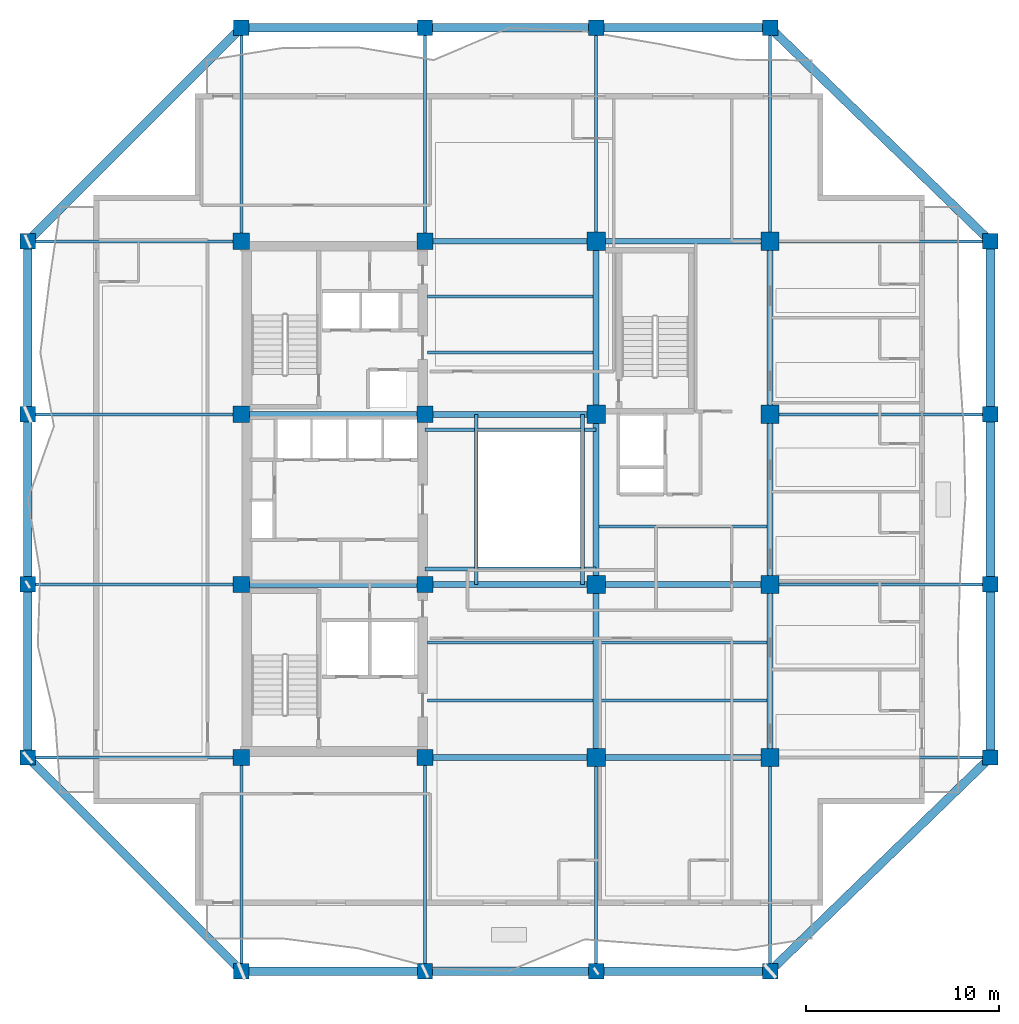
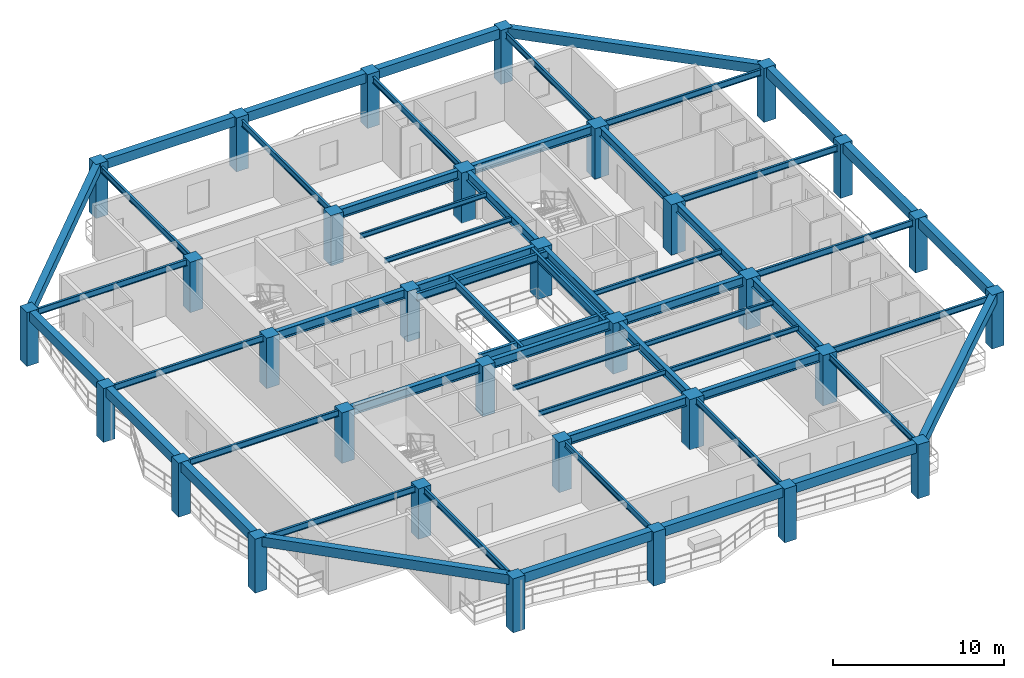
# One storey, part 1 of 13: 58 beams, 32 columns.
"""IFC4 building model written with IfcOpenShell, lengths in metres."""

from ifc_helpers import new_model, si_unit, direction, frame, origin, origin_2d, place, context, subcontext, project, spatial, rectangle, i_section, extrude, material, material_profile, profile_set, type_object, element, save


model = new_model("IFC4")

# Units and contexts
model_context = context("Model", 3, precision=1e-05, world=origin(), true_north=direction((0.0, 1.0)))
body_context = subcontext(model_context, "Body", "Model", "MODEL_VIEW")
ifc_project = project(units=[si_unit("LENGTHUNIT", "METRE"), si_unit("AREAUNIT", "SQUARE_METRE"), si_unit("VOLUMEUNIT", "CUBIC_METRE"), si_unit("PLANEANGLEUNIT", "RADIAN"), si_unit("MASSUNIT", "GRAM", prefix="KILO")], contexts=[model_context])

# Site, building, storey
site_placement = place(None, origin())
site = spatial("IfcSite", under=ifc_project, at=site_placement, CompositionType="ELEMENT")
building_placement = place(site_placement, origin())
building = spatial("IfcBuilding", under=site, at=building_placement, Name="Kundavana Baori Tower", CompositionType="ELEMENT")
storey_placement = place(building_placement, frame((0.0, 0.0, 188.699951171875)))
storey = spatial("IfcBuildingStorey", under=building, at=storey_placement, Name="L46", CompositionType="ELEMENT", Elevation=188.699951171875)

# Columns
ifc_material_1 = material(Name="Concrete C50/60", Category="concrete")
ifc_material_profile_1 = material_profile(ifc_material_1, rectangle(XDim=0.800048828125, YDim=0.800048828125, at=origin_2d()), Name="RC PF 800x800")
ifc_profile_set_1 = profile_set([ifc_material_profile_1], Name="Concrete C50/60")
column_type_1 = type_object("IfcColumnType", Name="COL-PF-800", PredefinedType="COLUMN", material=ifc_profile_set_1)
for number, where, z_axis, x_axis, name in (
    (1, (15.449951171875, 4.199951171875, 0.0), (0.0, 0.0, 1.0), (1.0, 0.0, 0.0), "L46 Stone-Clad Perimeter Frame Column PF-S1"),
    (2, (15.449951171875, 53.0, 0.0), (0.0, 0.0, 1.0), (1.0, 0.0, 0.0), "L46 Stone-Clad Perimeter Frame Column PF-N1"),
    (3, (24.949951171875, 4.199951171875, 0.0), (0.0, 0.0, 1.0), (1.0, 0.0, 0.0), "L46 Stone-Clad Perimeter Frame Column PF-S2"),
    (4, (24.949951171875, 53.0, 0.0), (0.0, 0.0, 1.0), (1.0, 0.0, 0.0), "L46 Stone-Clad Perimeter Frame Column PF-N2"),
    (5, (33.800048828125, 4.199951171875, 0.0), (0.0, 0.0, 1.0), (1.0, 0.0, 0.0), "L46 Stone-Clad Perimeter Frame Column PF-S3"),
    (6, (33.800048828125, 53.0, 0.0), (0.0, 0.0, 1.0), (1.0, 0.0, 0.0), "L46 Stone-Clad Perimeter Frame Column PF-N3"),
    (7, (42.800048828125, 4.199951171875, 0.0), (0.0, 0.0, 1.0), (1.0, 0.0, 0.0), "L46 Stone-Clad Perimeter Frame Column PF-S4"),
    (8, (42.800048828125, 53.0, 0.0), (0.0, 0.0, 1.0), (1.0, 0.0, 0.0), "L46 Stone-Clad Perimeter Frame Column PF-N4"),
    (9, (4.39990234375, 15.25, 0.0), (0.0, 0.0, 1.0), (1.0, 0.0, 0.0), "L46 Stone-Clad Perimeter Frame Column PF-W1"),
    (10, (54.199951171875, 15.25, 0.0), (0.0, 0.0, 1.0), (1.0, 0.0, 0.0), "L46 Stone-Clad Perimeter Frame Column PF-E1"),
    (11, (4.39990234375, 24.199951171875, 0.0), (0.0, 0.0, 1.0), (1.0, 0.0, 0.0), "L46 Stone-Clad Perimeter Frame Column PF-W2"),
    (12, (54.199951171875, 24.199951171875, 0.0), (0.0, 0.0, 1.0), (1.0, 0.0, 0.0), "L46 Stone-Clad Perimeter Frame Column PF-E2"),
    (13, (4.39990234375, 33.0, 0.0), (0.0, 0.0, 1.0), (1.0, 0.0, 0.0), "L46 Stone-Clad Perimeter Frame Column PF-W3"),
    (14, (54.199951171875, 33.0, 0.0), (0.0, 0.0, 1.0), (1.0, 0.0, 0.0), "L46 Stone-Clad Perimeter Frame Column PF-E3"),
    (15, (4.39990234375, 41.949951171875, 0.0), (0.0, 0.0, 1.0), (1.0, 0.0, 0.0), "L46 Stone-Clad Perimeter Frame Column PF-W4"),
    (16, (54.199951171875, 41.949951171875, 0.0), (0.0, 0.0, 1.0), (1.0, 0.0, 0.0), "L46 Stone-Clad Perimeter Frame Column PF-E4"),
):
    element("IfcColumn", number, at=place(storey_placement, frame(where, z_axis=z_axis, x_axis=x_axis)), inside=storey, type_object=column_type_1, Name=name, PredefinedType="COLUMN", context=body_context, shape_type="SweptSolid", body=[
        extrude(rectangle(XDim=0.800048828125, YDim=0.800048828125, at=origin_2d()), origin(), (0.0, 0.0, 1.0), 3.85009765625),
    ])
ifc_material_2 = material(Name="Concrete C50/60", Category="concrete")
ifc_material_profile_2 = material_profile(ifc_material_2, rectangle(XDim=0.85009765625, YDim=0.85009765625, at=origin_2d()), Name="RC 850x850")
ifc_profile_set_2 = profile_set([ifc_material_profile_2], Name="Concrete C50/60")
column_type_2 = type_object("IfcColumnType", Name="COL-RC-850", PredefinedType="COLUMN", material=ifc_profile_set_2)
for number, where, z_axis, x_axis, name in (
    (17, (15.449951171875, 15.25, 0.0), (0.0, 0.0, 1.0), (1.0, 0.0, 0.0), "L46 Interior Column IC-3C"),
    (18, (15.449951171875, 24.199951171875, 0.0), (0.0, 0.0, 1.0), (1.0, 0.0, 0.0), "L46 Interior Column IC-3D"),
    (19, (15.449951171875, 33.0, 0.0), (0.0, 0.0, 1.0), (1.0, 0.0, 0.0), "L46 Interior Column IC-3E"),
    (20, (15.449951171875, 41.949951171875, 0.0), (0.0, 0.0, 1.0), (1.0, 0.0, 0.0), "L46 Interior Column IC-3F"),
    (21, (24.949951171875, 15.25, 0.0), (0.0, 0.0, 1.0), (1.0, 0.0, 0.0), "L46 Interior Column IC-4C"),
    (22, (24.949951171875, 24.199951171875, 0.0), (0.0, 0.0, 1.0), (1.0, 0.0, 0.0), "L46 Interior Column IC-4D"),
    (23, (24.949951171875, 33.0, 0.0), (0.0, 0.0, 1.0), (1.0, 0.0, 0.0), "L46 Interior Column IC-4E"),
    (24, (24.949951171875, 41.949951171875, 0.0), (0.0, 0.0, 1.0), (1.0, 0.0, 0.0), "L46 Interior Column IC-4F"),
):
    element("IfcColumn", number, at=place(storey_placement, frame(where, z_axis=z_axis, x_axis=x_axis)), inside=storey, type_object=column_type_2, Name=name, PredefinedType="COLUMN", context=body_context, shape_type="SweptSolid", body=[
        extrude(rectangle(XDim=0.85009765625, YDim=0.85009765625, at=origin_2d()), origin(), (0.0, 0.0, 1.0), 3.60009765625),
    ])
ifc_material_3 = material(Name="Concrete C50/60", Category="concrete")
ifc_material_profile_3 = material_profile(ifc_material_3, rectangle(XDim=0.949951171875, YDim=0.949951171875, at=origin_2d()), Name="RC 950x950")
ifc_profile_set_3 = profile_set([ifc_material_profile_3], Name="Concrete C50/60")
column_type_3 = type_object("IfcColumnType", Name="COL-RC-950", PredefinedType="COLUMN", material=ifc_profile_set_3)
for number, where, z_axis, x_axis, name in (
    (25, (33.800048828125, 15.25, 0.0), (0.0, 0.0, 1.0), (1.0, 0.0, 0.0), "L46 Interior Column IC-5C"),
    (26, (33.800048828125, 24.199951171875, 0.0), (0.0, 0.0, 1.0), (1.0, 0.0, 0.0), "L46 Interior Column IC-5D"),
    (27, (33.800048828125, 33.0, 0.0), (0.0, 0.0, 1.0), (1.0, 0.0, 0.0), "L46 Interior Column IC-5E"),
    (28, (33.800048828125, 41.949951171875, 0.0), (0.0, 0.0, 1.0), (1.0, 0.0, 0.0), "L46 Interior Column IC-5F"),
    (29, (42.800048828125, 15.25, 0.0), (0.0, 0.0, 1.0), (1.0, 0.0, 0.0), "L46 Interior Column IC-6C"),
    (30, (42.800048828125, 24.199951171875, 0.0), (0.0, 0.0, 1.0), (1.0, 0.0, 0.0), "L46 Interior Column IC-6D"),
    (31, (42.800048828125, 33.0, 0.0), (0.0, 0.0, 1.0), (1.0, 0.0, 0.0), "L46 Interior Column IC-6E"),
    (32, (42.800048828125, 41.949951171875, 0.0), (0.0, 0.0, 1.0), (1.0, 0.0, 0.0), "L46 Interior Column IC-6F"),
):
    element("IfcColumn", number, at=place(storey_placement, frame(where, z_axis=z_axis, x_axis=x_axis)), inside=storey, type_object=column_type_3, Name=name, PredefinedType="COLUMN", context=body_context, shape_type="SweptSolid", body=[
        extrude(rectangle(XDim=0.949951171875, YDim=0.949951171875, at=origin_2d()), origin(), (0.0, 0.0, 1.0), 3.60009765625),
    ])

# Beams
ifc_material_4 = material(Name="Structural Steel S355JR", Category="steel")
ifc_material_profile_4 = material_profile(ifc_material_4, i_section(OverallWidth=0.139892578125, OverallDepth=0.35009765625, WebThickness=0.008056640625, FlangeThickness=0.01416015625, FilletRadius=0.013916015625, at=origin_2d()), Name="ISMB 350")
ifc_profile_set_4 = profile_set([ifc_material_profile_4], Name="Structural Steel S355JR")
beam_type_1 = type_object("IfcBeamType", Name="BM-JST-350", PredefinedType="JOIST", material=ifc_profile_set_4)
for number, where, z_axis, x_axis, name in (
    (33, (25.080078125, 18.199951171875, 3.425048828125), (1.0, 0.0, 0.0), (0.0, 1.0, 0.0), "L46 Central Bay Composite Floor Joist C1"),
    (34, (25.080078125, 21.199951171875, 3.425048828125), (1.0, 0.0, 0.0), (0.0, 1.0, 0.0), "L46 Central Bay Composite Floor Joist C2"),
    (35, (25.080078125, 36.199951171875, 3.425048828125), (1.0, 0.0, 0.0), (0.0, 1.0, 0.0), "L46 Central Bay Composite Floor Joist C3"),
    (36, (25.080078125, 39.10009765625, 3.425048828125), (1.0, 0.0, 0.0), (0.0, 1.0, 0.0), "L46 Central Bay Composite Floor Joist C4"),
):
    element("IfcBeam", number, at=place(storey_placement, frame(where, z_axis=z_axis, x_axis=x_axis)), inside=storey, type_object=beam_type_1, Name=name, PredefinedType="JOIST", context=body_context, shape_type="SweptSolid", body=[
        extrude(i_section(OverallWidth=0.139892578125, OverallDepth=0.35009765625, WebThickness=0.008056640625, FlangeThickness=0.01416015625, FilletRadius=0.013916015625, at=origin_2d()), origin(), (0.0, 0.0, 1.0), 8.56982421875),
    ])
for number, where, z_axis, x_axis, name in (
    (37, (33.949951171875, 18.199951171875, 3.425048828125), (1.0, 0.0, 0.0), (0.0, 1.0, 0.0), "L46 East Bay Composite Floor Joist E1"),
    (38, (33.949951171875, 21.199951171875, 3.425048828125), (1.0, 0.0, 0.0), (0.0, 1.0, 0.0), "L46 East Bay Composite Floor Joist E2"),
    (39, (33.949951171875, 27.199951171875, 3.425048828125), (1.0, 0.0, 0.0), (0.0, 1.0, 0.0), "L46 East Bay Composite Floor Joist E3"),
):
    element("IfcBeam", number, at=place(storey_placement, frame(where, z_axis=z_axis, x_axis=x_axis)), inside=storey, type_object=beam_type_1, Name=name, PredefinedType="JOIST", context=body_context, shape_type="SweptSolid", body=[
        extrude(i_section(OverallWidth=0.139892578125, OverallDepth=0.35009765625, WebThickness=0.008056640625, FlangeThickness=0.01416015625, FilletRadius=0.013916015625, at=origin_2d()), origin(), (0.0, 0.0, 1.0), 8.699951171875),
    ])
ifc_material_5 = material(Name="Concrete C50/60", Category="concrete")
ifc_material_profile_5 = material_profile(ifc_material_5, rectangle(XDim=0.449951171875, YDim=0.679931640625, at=origin_2d()), Name="RC BM 450x680")
ifc_profile_set_5 = profile_set([ifc_material_profile_5], Name="Concrete C50/60")
beam_type_2 = type_object("IfcBeamType", Name="BM-PF-680", PredefinedType="SPANDREL", material=ifc_profile_set_5)
beam_1_placement = place(storey_placement, frame((15.449951171875, 4.199951171875, 3.510009765625), z_axis=(1.0, 0.0, 0.0), x_axis=(0.0, 1.0, 0.0)))
element("IfcBeam", 40, at=beam_1_placement, inside=storey, type_object=beam_type_2, Name="L46 Perimeter Frame Ring Beam S1", PredefinedType="SPANDREL", context=body_context, shape_type="SweptSolid", body=[
    extrude(rectangle(XDim=0.449951171875, YDim=0.679931640625, at=origin_2d()), origin(), (0.0, 0.0, 1.0), 9.5),
])
beam_2_placement = place(storey_placement, frame((24.949951171875, 4.199951171875, 3.510009765625), z_axis=(1.0, 0.0, 0.0), x_axis=(0.0, 1.0, 0.0)))
element("IfcBeam", 41, at=beam_2_placement, inside=storey, type_object=beam_type_2, Name="L46 Perimeter Frame Ring Beam S2", PredefinedType="SPANDREL", context=body_context, shape_type="SweptSolid", body=[
    extrude(rectangle(XDim=0.449951171875, YDim=0.679931640625, at=origin_2d()), origin(), (0.0, 0.0, 1.0), 8.85009765625),
])
beam_3_placement = place(storey_placement, frame((33.800048828125, 4.199951171875, 3.510009765625), z_axis=(1.0, 0.0, 0.0), x_axis=(0.0, 1.0, 0.0)))
element("IfcBeam", 42, at=beam_3_placement, inside=storey, type_object=beam_type_2, Name="L46 Perimeter Frame Ring Beam S3", PredefinedType="SPANDREL", context=body_context, shape_type="SweptSolid", body=[
    extrude(rectangle(XDim=0.449951171875, YDim=0.679931640625, at=origin_2d()), origin(), (0.0, 0.0, 1.0), 9.0),
])
beam_4_placement = place(storey_placement, frame((15.449951171875, 53.0, 3.510009765625), z_axis=(1.0, 0.0, 0.0), x_axis=(0.0, 1.0, 0.0)))
element("IfcBeam", 43, at=beam_4_placement, inside=storey, type_object=beam_type_2, Name="L46 Perimeter Frame Ring Beam N1", PredefinedType="SPANDREL", context=body_context, shape_type="SweptSolid", body=[
    extrude(rectangle(XDim=0.449951171875, YDim=0.679931640625, at=origin_2d()), origin(), (0.0, 0.0, 1.0), 9.5),
])
beam_5_placement = place(storey_placement, frame((24.949951171875, 53.0, 3.510009765625), z_axis=(1.0, 0.0, 0.0), x_axis=(0.0, 1.0, 0.0)))
element("IfcBeam", 44, at=beam_5_placement, inside=storey, type_object=beam_type_2, Name="L46 Perimeter Frame Ring Beam N2", PredefinedType="SPANDREL", context=body_context, shape_type="SweptSolid", body=[
    extrude(rectangle(XDim=0.449951171875, YDim=0.679931640625, at=origin_2d()), origin(), (0.0, 0.0, 1.0), 8.85009765625),
])
beam_6_placement = place(storey_placement, frame((33.800048828125, 53.0, 3.510009765625), z_axis=(1.0, 0.0, 0.0), x_axis=(0.0, 1.0, 0.0)))
element("IfcBeam", 45, at=beam_6_placement, inside=storey, type_object=beam_type_2, Name="L46 Perimeter Frame Ring Beam N3", PredefinedType="SPANDREL", context=body_context, shape_type="SweptSolid", body=[
    extrude(rectangle(XDim=0.449951171875, YDim=0.679931640625, at=origin_2d()), origin(), (0.0, 0.0, 1.0), 9.0),
])
beam_7_placement = place(storey_placement, frame((4.39990234375, 15.25, 3.510009765625), z_axis=(0.0, 1.0, 0.0), x_axis=(-1.0, 0.0, 0.0)))
element("IfcBeam", 46, at=beam_7_placement, inside=storey, type_object=beam_type_2, Name="L46 Perimeter Frame Ring Beam W1", PredefinedType="SPANDREL", context=body_context, shape_type="SweptSolid", body=[
    extrude(rectangle(XDim=0.449951171875, YDim=0.679931640625, at=origin_2d()), origin(), (0.0, 0.0, 1.0), 8.949951171875),
])
beam_8_placement = place(storey_placement, frame((4.39990234375, 24.199951171875, 3.510009765625), z_axis=(0.0, 1.0, 0.0), x_axis=(-1.0, 0.0, 0.0)))
element("IfcBeam", 47, at=beam_8_placement, inside=storey, type_object=beam_type_2, Name="L46 Perimeter Frame Ring Beam W2", PredefinedType="SPANDREL", context=body_context, shape_type="SweptSolid", body=[
    extrude(rectangle(XDim=0.449951171875, YDim=0.679931640625, at=origin_2d()), origin(), (0.0, 0.0, 1.0), 8.800048828125),
])
for number, where, z_axis, x_axis, name in (
    (48, (4.39990234375, 33.0, 3.510009765625), (0.0, 1.0, 0.0), (-1.0, 0.0, 0.0), "L46 Perimeter Frame Ring Beam W3"),
    (49, (54.199951171875, 15.25, 3.510009765625), (0.0, 1.0, 0.0), (-1.0, 0.0, 0.0), "L46 Perimeter Frame Ring Beam E1"),
):
    element("IfcBeam", number, at=place(storey_placement, frame(where, z_axis=z_axis, x_axis=x_axis)), inside=storey, type_object=beam_type_2, Name=name, PredefinedType="SPANDREL", context=body_context, shape_type="SweptSolid", body=[
        extrude(rectangle(XDim=0.449951171875, YDim=0.679931640625, at=origin_2d()), origin(), (0.0, 0.0, 1.0), 8.949951171875),
    ])
beam_9_placement = place(storey_placement, frame((54.199951171875, 24.199951171875, 3.510009765625), z_axis=(0.0, 1.0, 0.0), x_axis=(-1.0, 0.0, 0.0)))
element("IfcBeam", 50, at=beam_9_placement, inside=storey, type_object=beam_type_2, Name="L46 Perimeter Frame Ring Beam E2", PredefinedType="SPANDREL", context=body_context, shape_type="SweptSolid", body=[
    extrude(rectangle(XDim=0.449951171875, YDim=0.679931640625, at=origin_2d()), origin(), (0.0, 0.0, 1.0), 8.800048828125),
])
beam_10_placement = place(storey_placement, frame((54.199951171875, 33.0, 3.510009765625), z_axis=(0.0, 1.0, 0.0), x_axis=(-1.0, 0.0, 0.0)))
element("IfcBeam", 51, at=beam_10_placement, inside=storey, type_object=beam_type_2, Name="L46 Perimeter Frame Ring Beam E3", PredefinedType="SPANDREL", context=body_context, shape_type="SweptSolid", body=[
    extrude(rectangle(XDim=0.449951171875, YDim=0.679931640625, at=origin_2d()), origin(), (0.0, 0.0, 1.0), 8.949951171875),
])
beam_11_placement = place(storey_placement, frame((15.449951171875, 4.199951171875, 3.510009765625), z_axis=(-0.707106781187, 0.707106781187, 0.0), x_axis=(-0.707106781187, -0.707106781187, 0.0)))
element("IfcBeam", 52, at=beam_11_placement, inside=storey, type_object=beam_type_2, Name="L46 Notched Corner Perimeter Beam SW", PredefinedType="SPANDREL", context=body_context, shape_type="SweptSolid", body=[
    extrude(rectangle(XDim=0.449951171875, YDim=0.679931640625, at=origin_2d()), origin(), (0.0, 0.0, 1.0), 15.627197265625),
])
beam_12_placement = place(storey_placement, frame((42.800048828125, 4.199951171875, 3.510009765625), z_axis=(0.718038944492, 0.696002926857, 0.0), x_axis=(-0.696002926857, 0.718038944492, 0.0)))
element("IfcBeam", 53, at=beam_12_placement, inside=storey, type_object=beam_type_2, Name="L46 Notched Corner Perimeter Beam SE", PredefinedType="SPANDREL", context=body_context, shape_type="SweptSolid", body=[
    extrude(rectangle(XDim=0.449951171875, YDim=0.679931640625, at=origin_2d()), origin(), (0.0, 0.0, 1.0), 15.87646484375),
])
beam_13_placement = place(storey_placement, frame((15.449951171875, 53.0, 3.510009765625), z_axis=(-0.707106781187, -0.707106781187, 0.0), x_axis=(0.707106781187, -0.707106781187, 0.0)))
element("IfcBeam", 54, at=beam_13_placement, inside=storey, type_object=beam_type_2, Name="L46 Notched Corner Perimeter Beam NW", PredefinedType="SPANDREL", context=body_context, shape_type="SweptSolid", body=[
    extrude(rectangle(XDim=0.449951171875, YDim=0.679931640625, at=origin_2d()), origin(), (0.0, 0.0, 1.0), 15.627197265625),
])
beam_14_placement = place(storey_placement, frame((42.800048828125, 53.0, 3.510009765625), z_axis=(0.718038944492, -0.696002926857, 0.0), x_axis=(0.696002926857, 0.718038944492, 0.0)))
element("IfcBeam", 55, at=beam_14_placement, inside=storey, type_object=beam_type_2, Name="L46 Notched Corner Perimeter Beam NE", PredefinedType="SPANDREL", context=body_context, shape_type="SweptSolid", body=[
    extrude(rectangle(XDim=0.449951171875, YDim=0.679931640625, at=origin_2d()), origin(), (0.0, 0.0, 1.0), 15.87646484375),
])
ifc_material_6 = material(Name="Structural Steel S355JR", Category="steel")
ifc_material_profile_6 = material_profile(ifc_material_6, i_section(OverallWidth=0.18994140625, OverallDepth=0.550048828125, WebThickness=0.01123046875, FlangeThickness=0.019287109375, FilletRadius=0.01806640625, at=origin_2d()), Name="ISMB 550")
ifc_profile_set_6 = profile_set([ifc_material_profile_6], Name="Structural Steel S355JR")
beam_type_3 = type_object("IfcBeamType", Name="BM-ST-550", PredefinedType="BEAM", material=ifc_profile_set_6)
for number, where, z_axis, x_axis, name in (
    (56, (27.60009765625, 24.199951171875, 3.324951171875), (0.0, 1.0, 0.0), (-1.0, 0.0, 0.0), "L46 Atrium West Edge Beam"),
    (57, (33.10009765625, 24.199951171875, 3.324951171875), (0.0, 1.0, 0.0), (-1.0, 0.0, 0.0), "L46 Atrium East Edge Beam"),
):
    element("IfcBeam", number, at=place(storey_placement, frame(where, z_axis=z_axis, x_axis=x_axis)), inside=storey, type_object=beam_type_3, Name=name, PredefinedType="BEAM", context=body_context, shape_type="SweptSolid", body=[
        extrude(i_section(OverallWidth=0.18994140625, OverallDepth=0.550048828125, WebThickness=0.01123046875, FlangeThickness=0.019287109375, FilletRadius=0.01806640625, at=origin_2d()), origin(), (0.0, 0.0, 1.0), 8.800048828125),
    ])
for number, where, z_axis, x_axis, name in (
    (58, (24.949951171875, 25.0, 3.324951171875), (1.0, 0.0, 0.0), (0.0, 1.0, 0.0), "L46 Atrium South Edge Beam"),
    (59, (24.949951171875, 32.199951171875, 3.324951171875), (1.0, 0.0, 0.0), (0.0, 1.0, 0.0), "L46 Atrium North Edge Beam"),
):
    element("IfcBeam", number, at=place(storey_placement, frame(where, z_axis=z_axis, x_axis=x_axis)), inside=storey, type_object=beam_type_3, Name=name, PredefinedType="BEAM", context=body_context, shape_type="SweptSolid", body=[
        extrude(i_section(OverallWidth=0.18994140625, OverallDepth=0.550048828125, WebThickness=0.01123046875, FlangeThickness=0.019287109375, FilletRadius=0.01806640625, at=origin_2d()), origin(), (0.0, 0.0, 1.0), 8.85009765625),
    ])
ifc_material_7 = material(Name="Structural Steel S355JR", Category="steel")
ifc_material_profile_7 = material_profile(ifc_material_7, i_section(OverallWidth=0.300048828125, OverallDepth=0.64990234375, WebThickness=0.013427734375, FlangeThickness=0.02197265625, FilletRadius=0.02392578125, at=origin_2d()), Name="NPB 650x300x155")
ifc_profile_set_7 = profile_set([ifc_material_profile_7], Name="Structural Steel S355JR")
beam_type_4 = type_object("IfcBeamType", Name="BM-ST-650", PredefinedType="BEAM", material=ifc_profile_set_7)
beam_15_placement = place(storey_placement, frame((24.949951171875, 15.25, 3.275146484375), z_axis=(1.0, 0.0, 0.0), x_axis=(0.0, 1.0, 0.0)))
element("IfcBeam", 60, at=beam_15_placement, inside=storey, type_object=beam_type_4, Name="L46 Primary Grid Girder GX-1-2", PredefinedType="BEAM", context=body_context, shape_type="SweptSolid", body=[
    extrude(i_section(OverallWidth=0.300048828125, OverallDepth=0.64990234375, WebThickness=0.013427734375, FlangeThickness=0.02197265625, FilletRadius=0.02392578125, at=origin_2d()), origin(), (0.0, 0.0, 1.0), 8.85009765625),
])
beam_16_placement = place(storey_placement, frame((33.800048828125, 15.25, 3.275146484375), z_axis=(1.0, 0.0, 0.0), x_axis=(0.0, 1.0, 0.0)))
element("IfcBeam", 61, at=beam_16_placement, inside=storey, type_object=beam_type_4, Name="L46 Primary Grid Girder GX-1-3", PredefinedType="BEAM", context=body_context, shape_type="SweptSolid", body=[
    extrude(i_section(OverallWidth=0.300048828125, OverallDepth=0.64990234375, WebThickness=0.013427734375, FlangeThickness=0.02197265625, FilletRadius=0.02392578125, at=origin_2d()), origin(), (0.0, 0.0, 1.0), 9.0),
])
beam_17_placement = place(storey_placement, frame((15.449951171875, 24.199951171875, 3.275146484375), z_axis=(1.0, 0.0, 0.0), x_axis=(0.0, 1.0, 0.0)))
element("IfcBeam", 62, at=beam_17_placement, inside=storey, type_object=beam_type_4, Name="L46 Primary Grid Girder GX-2-1", PredefinedType="BEAM", context=body_context, shape_type="SweptSolid", body=[
    extrude(i_section(OverallWidth=0.300048828125, OverallDepth=0.64990234375, WebThickness=0.013427734375, FlangeThickness=0.02197265625, FilletRadius=0.02392578125, at=origin_2d()), origin(), (0.0, 0.0, 1.0), 9.5),
])
beam_18_placement = place(storey_placement, frame((24.949951171875, 24.199951171875, 3.275146484375), z_axis=(1.0, 0.0, 0.0), x_axis=(0.0, 1.0, 0.0)))
element("IfcBeam", 63, at=beam_18_placement, inside=storey, type_object=beam_type_4, Name="L46 Primary Grid Girder GX-2-2", PredefinedType="BEAM", context=body_context, shape_type="SweptSolid", body=[
    extrude(i_section(OverallWidth=0.300048828125, OverallDepth=0.64990234375, WebThickness=0.013427734375, FlangeThickness=0.02197265625, FilletRadius=0.02392578125, at=origin_2d()), origin(), (0.0, 0.0, 1.0), 8.85009765625),
])
beam_19_placement = place(storey_placement, frame((33.800048828125, 24.199951171875, 3.275146484375), z_axis=(1.0, 0.0, 0.0), x_axis=(0.0, 1.0, 0.0)))
element("IfcBeam", 64, at=beam_19_placement, inside=storey, type_object=beam_type_4, Name="L46 Primary Grid Girder GX-2-3", PredefinedType="BEAM", context=body_context, shape_type="SweptSolid", body=[
    extrude(i_section(OverallWidth=0.300048828125, OverallDepth=0.64990234375, WebThickness=0.013427734375, FlangeThickness=0.02197265625, FilletRadius=0.02392578125, at=origin_2d()), origin(), (0.0, 0.0, 1.0), 9.0),
])
beam_20_placement = place(storey_placement, frame((15.449951171875, 33.0, 3.275146484375), z_axis=(1.0, 0.0, 0.0), x_axis=(0.0, 1.0, 0.0)))
element("IfcBeam", 65, at=beam_20_placement, inside=storey, type_object=beam_type_4, Name="L46 Primary Grid Girder GX-3-1", PredefinedType="BEAM", context=body_context, shape_type="SweptSolid", body=[
    extrude(i_section(OverallWidth=0.300048828125, OverallDepth=0.64990234375, WebThickness=0.013427734375, FlangeThickness=0.02197265625, FilletRadius=0.02392578125, at=origin_2d()), origin(), (0.0, 0.0, 1.0), 9.5),
])
for number, where, z_axis, x_axis, name in (
    (66, (24.949951171875, 33.0, 3.275146484375), (1.0, 0.0, 0.0), (0.0, 1.0, 0.0), "L46 Primary Grid Girder GX-3-2"),
    (67, (24.949951171875, 41.949951171875, 3.275146484375), (1.0, 0.0, 0.0), (0.0, 1.0, 0.0), "L46 Primary Grid Girder GX-4-2"),
):
    element("IfcBeam", number, at=place(storey_placement, frame(where, z_axis=z_axis, x_axis=x_axis)), inside=storey, type_object=beam_type_4, Name=name, PredefinedType="BEAM", context=body_context, shape_type="SweptSolid", body=[
        extrude(i_section(OverallWidth=0.300048828125, OverallDepth=0.64990234375, WebThickness=0.013427734375, FlangeThickness=0.02197265625, FilletRadius=0.02392578125, at=origin_2d()), origin(), (0.0, 0.0, 1.0), 8.85009765625),
    ])
beam_21_placement = place(storey_placement, frame((33.800048828125, 41.949951171875, 3.275146484375), z_axis=(1.0, 0.0, 0.0), x_axis=(0.0, 1.0, 0.0)))
element("IfcBeam", 68, at=beam_21_placement, inside=storey, type_object=beam_type_4, Name="L46 Primary Grid Girder GX-4-3", PredefinedType="BEAM", context=body_context, shape_type="SweptSolid", body=[
    extrude(i_section(OverallWidth=0.300048828125, OverallDepth=0.64990234375, WebThickness=0.013427734375, FlangeThickness=0.02197265625, FilletRadius=0.02392578125, at=origin_2d()), origin(), (0.0, 0.0, 1.0), 9.0),
])
beam_22_placement = place(storey_placement, frame((33.800048828125, 15.25, 3.275146484375), z_axis=(0.0, 1.0, 0.0), x_axis=(-1.0, 0.0, 0.0)))
element("IfcBeam", 69, at=beam_22_placement, inside=storey, type_object=beam_type_4, Name="L46 Primary Grid Girder GY-3-1", PredefinedType="BEAM", context=body_context, shape_type="SweptSolid", body=[
    extrude(i_section(OverallWidth=0.300048828125, OverallDepth=0.64990234375, WebThickness=0.013427734375, FlangeThickness=0.02197265625, FilletRadius=0.02392578125, at=origin_2d()), origin(), (0.0, 0.0, 1.0), 8.949951171875),
])
beam_23_placement = place(storey_placement, frame((33.800048828125, 24.199951171875, 3.275146484375), z_axis=(0.0, 1.0, 0.0), x_axis=(-1.0, 0.0, 0.0)))
element("IfcBeam", 70, at=beam_23_placement, inside=storey, type_object=beam_type_4, Name="L46 Primary Grid Girder GY-3-2", PredefinedType="BEAM", context=body_context, shape_type="SweptSolid", body=[
    extrude(i_section(OverallWidth=0.300048828125, OverallDepth=0.64990234375, WebThickness=0.013427734375, FlangeThickness=0.02197265625, FilletRadius=0.02392578125, at=origin_2d()), origin(), (0.0, 0.0, 1.0), 8.800048828125),
])
for number, where, z_axis, x_axis, name in (
    (71, (33.800048828125, 33.0, 3.275146484375), (0.0, 1.0, 0.0), (-1.0, 0.0, 0.0), "L46 Primary Grid Girder GY-3-3"),
    (72, (42.800048828125, 15.25, 3.275146484375), (0.0, 1.0, 0.0), (-1.0, 0.0, 0.0), "L46 Primary Grid Girder GY-4-1"),
):
    element("IfcBeam", number, at=place(storey_placement, frame(where, z_axis=z_axis, x_axis=x_axis)), inside=storey, type_object=beam_type_4, Name=name, PredefinedType="BEAM", context=body_context, shape_type="SweptSolid", body=[
        extrude(i_section(OverallWidth=0.300048828125, OverallDepth=0.64990234375, WebThickness=0.013427734375, FlangeThickness=0.02197265625, FilletRadius=0.02392578125, at=origin_2d()), origin(), (0.0, 0.0, 1.0), 8.949951171875),
    ])
beam_24_placement = place(storey_placement, frame((42.800048828125, 24.199951171875, 3.275146484375), z_axis=(0.0, 1.0, 0.0), x_axis=(-1.0, 0.0, 0.0)))
element("IfcBeam", 73, at=beam_24_placement, inside=storey, type_object=beam_type_4, Name="L46 Primary Grid Girder GY-4-2", PredefinedType="BEAM", context=body_context, shape_type="SweptSolid", body=[
    extrude(i_section(OverallWidth=0.300048828125, OverallDepth=0.64990234375, WebThickness=0.013427734375, FlangeThickness=0.02197265625, FilletRadius=0.02392578125, at=origin_2d()), origin(), (0.0, 0.0, 1.0), 8.800048828125),
])
beam_25_placement = place(storey_placement, frame((42.800048828125, 33.0, 3.275146484375), z_axis=(0.0, 1.0, 0.0), x_axis=(-1.0, 0.0, 0.0)))
element("IfcBeam", 74, at=beam_25_placement, inside=storey, type_object=beam_type_4, Name="L46 Primary Grid Girder GY-4-3", PredefinedType="BEAM", context=body_context, shape_type="SweptSolid", body=[
    extrude(i_section(OverallWidth=0.300048828125, OverallDepth=0.64990234375, WebThickness=0.013427734375, FlangeThickness=0.02197265625, FilletRadius=0.02392578125, at=origin_2d()), origin(), (0.0, 0.0, 1.0), 8.949951171875),
])
ifc_material_8 = material(Name="Structural Steel S355JR", Category="steel")
ifc_material_profile_8 = material_profile(ifc_material_8, i_section(OverallWidth=0.14990234375, OverallDepth=0.449951171875, WebThickness=0.009521484375, FlangeThickness=0.017333984375, FilletRadius=0.014892578125, at=origin_2d()), Name="ISMB 450")
ifc_profile_set_8 = profile_set([ifc_material_profile_8], Name="Structural Steel S355JR")
beam_type_5 = type_object("IfcBeamType", Name="BM-TIE-450", PredefinedType="BEAM", material=ifc_profile_set_8)
for number, where, z_axis, x_axis, name in (
    (75, (15.449951171875, 15.25, 3.375), (0.0, -1.0, 0.0), (1.0, 0.0, 0.0), "L46 South Radial Loggia Tie Beam S1"),
    (76, (15.449951171875, 41.949951171875, 3.375), (0.0, 1.0, 0.0), (-1.0, 0.0, 0.0), "L46 North Radial Loggia Tie Beam N1"),
    (77, (24.949951171875, 15.25, 3.375), (0.0, -1.0, 0.0), (1.0, 0.0, 0.0), "L46 South Radial Loggia Tie Beam S2"),
    (78, (24.949951171875, 41.949951171875, 3.375), (0.0, 1.0, 0.0), (-1.0, 0.0, 0.0), "L46 North Radial Loggia Tie Beam N2"),
    (79, (33.800048828125, 15.25, 3.375), (0.0, -1.0, 0.0), (1.0, 0.0, 0.0), "L46 South Radial Loggia Tie Beam S3"),
    (80, (33.800048828125, 41.949951171875, 3.375), (0.0, 1.0, 0.0), (-1.0, 0.0, 0.0), "L46 North Radial Loggia Tie Beam N3"),
    (81, (42.800048828125, 15.25, 3.375), (0.0, -1.0, 0.0), (1.0, 0.0, 0.0), "L46 South Radial Loggia Tie Beam S4"),
    (82, (42.800048828125, 41.949951171875, 3.375), (0.0, 1.0, 0.0), (-1.0, 0.0, 0.0), "L46 North Radial Loggia Tie Beam N4"),
    (83, (15.449951171875, 15.25, 3.375), (-1.0, 0.0, 0.0), (0.0, -1.0, 0.0), "L46 West Radial Loggia Tie Beam W1"),
):
    element("IfcBeam", number, at=place(storey_placement, frame(where, z_axis=z_axis, x_axis=x_axis)), inside=storey, type_object=beam_type_5, Name=name, PredefinedType="BEAM", context=body_context, shape_type="SweptSolid", body=[
        extrude(i_section(OverallWidth=0.14990234375, OverallDepth=0.449951171875, WebThickness=0.009521484375, FlangeThickness=0.017333984375, FilletRadius=0.014892578125, at=origin_2d()), origin(), (0.0, 0.0, 1.0), 11.050048828125),
    ])
beam_26_placement = place(storey_placement, frame((42.800048828125, 15.25, 3.375), z_axis=(1.0, 0.0, 0.0), x_axis=(0.0, 1.0, 0.0)))
element("IfcBeam", 84, at=beam_26_placement, inside=storey, type_object=beam_type_5, Name="L46 East Radial Loggia Tie Beam E1", PredefinedType="BEAM", context=body_context, shape_type="SweptSolid", body=[
    extrude(i_section(OverallWidth=0.14990234375, OverallDepth=0.449951171875, WebThickness=0.009521484375, FlangeThickness=0.017333984375, FilletRadius=0.014892578125, at=origin_2d()), origin(), (0.0, 0.0, 1.0), 11.39990234375),
])
beam_27_placement = place(storey_placement, frame((15.449951171875, 24.199951171875, 3.375), z_axis=(-1.0, 0.0, 0.0), x_axis=(0.0, -1.0, 0.0)))
element("IfcBeam", 85, at=beam_27_placement, inside=storey, type_object=beam_type_5, Name="L46 West Radial Loggia Tie Beam W2", PredefinedType="BEAM", context=body_context, shape_type="SweptSolid", body=[
    extrude(i_section(OverallWidth=0.14990234375, OverallDepth=0.449951171875, WebThickness=0.009521484375, FlangeThickness=0.017333984375, FilletRadius=0.014892578125, at=origin_2d()), origin(), (0.0, 0.0, 1.0), 11.050048828125),
])
beam_28_placement = place(storey_placement, frame((42.800048828125, 24.199951171875, 3.375), z_axis=(1.0, 0.0, 0.0), x_axis=(0.0, 1.0, 0.0)))
element("IfcBeam", 86, at=beam_28_placement, inside=storey, type_object=beam_type_5, Name="L46 East Radial Loggia Tie Beam E2", PredefinedType="BEAM", context=body_context, shape_type="SweptSolid", body=[
    extrude(i_section(OverallWidth=0.14990234375, OverallDepth=0.449951171875, WebThickness=0.009521484375, FlangeThickness=0.017333984375, FilletRadius=0.014892578125, at=origin_2d()), origin(), (0.0, 0.0, 1.0), 11.39990234375),
])
beam_29_placement = place(storey_placement, frame((15.449951171875, 33.0, 3.375), z_axis=(-1.0, 0.0, 0.0), x_axis=(0.0, -1.0, 0.0)))
element("IfcBeam", 87, at=beam_29_placement, inside=storey, type_object=beam_type_5, Name="L46 West Radial Loggia Tie Beam W3", PredefinedType="BEAM", context=body_context, shape_type="SweptSolid", body=[
    extrude(i_section(OverallWidth=0.14990234375, OverallDepth=0.449951171875, WebThickness=0.009521484375, FlangeThickness=0.017333984375, FilletRadius=0.014892578125, at=origin_2d()), origin(), (0.0, 0.0, 1.0), 11.050048828125),
])
beam_30_placement = place(storey_placement, frame((42.800048828125, 33.0, 3.375), z_axis=(1.0, 0.0, 0.0), x_axis=(0.0, 1.0, 0.0)))
element("IfcBeam", 88, at=beam_30_placement, inside=storey, type_object=beam_type_5, Name="L46 East Radial Loggia Tie Beam E3", PredefinedType="BEAM", context=body_context, shape_type="SweptSolid", body=[
    extrude(i_section(OverallWidth=0.14990234375, OverallDepth=0.449951171875, WebThickness=0.009521484375, FlangeThickness=0.017333984375, FilletRadius=0.014892578125, at=origin_2d()), origin(), (0.0, 0.0, 1.0), 11.39990234375),
])
beam_31_placement = place(storey_placement, frame((15.449951171875, 41.949951171875, 3.375), z_axis=(-1.0, 0.0, 0.0), x_axis=(0.0, -1.0, 0.0)))
element("IfcBeam", 89, at=beam_31_placement, inside=storey, type_object=beam_type_5, Name="L46 West Radial Loggia Tie Beam W4", PredefinedType="BEAM", context=body_context, shape_type="SweptSolid", body=[
    extrude(i_section(OverallWidth=0.14990234375, OverallDepth=0.449951171875, WebThickness=0.009521484375, FlangeThickness=0.017333984375, FilletRadius=0.014892578125, at=origin_2d()), origin(), (0.0, 0.0, 1.0), 11.050048828125),
])
beam_32_placement = place(storey_placement, frame((42.800048828125, 41.949951171875, 3.375), z_axis=(1.0, 0.0, 0.0), x_axis=(0.0, 1.0, 0.0)))
element("IfcBeam", 90, at=beam_32_placement, inside=storey, type_object=beam_type_5, Name="L46 East Radial Loggia Tie Beam E4", PredefinedType="BEAM", context=body_context, shape_type="SweptSolid", body=[
    extrude(i_section(OverallWidth=0.14990234375, OverallDepth=0.449951171875, WebThickness=0.009521484375, FlangeThickness=0.017333984375, FilletRadius=0.014892578125, at=origin_2d()), origin(), (0.0, 0.0, 1.0), 11.39990234375),
])

save(model, "model.ifc")
